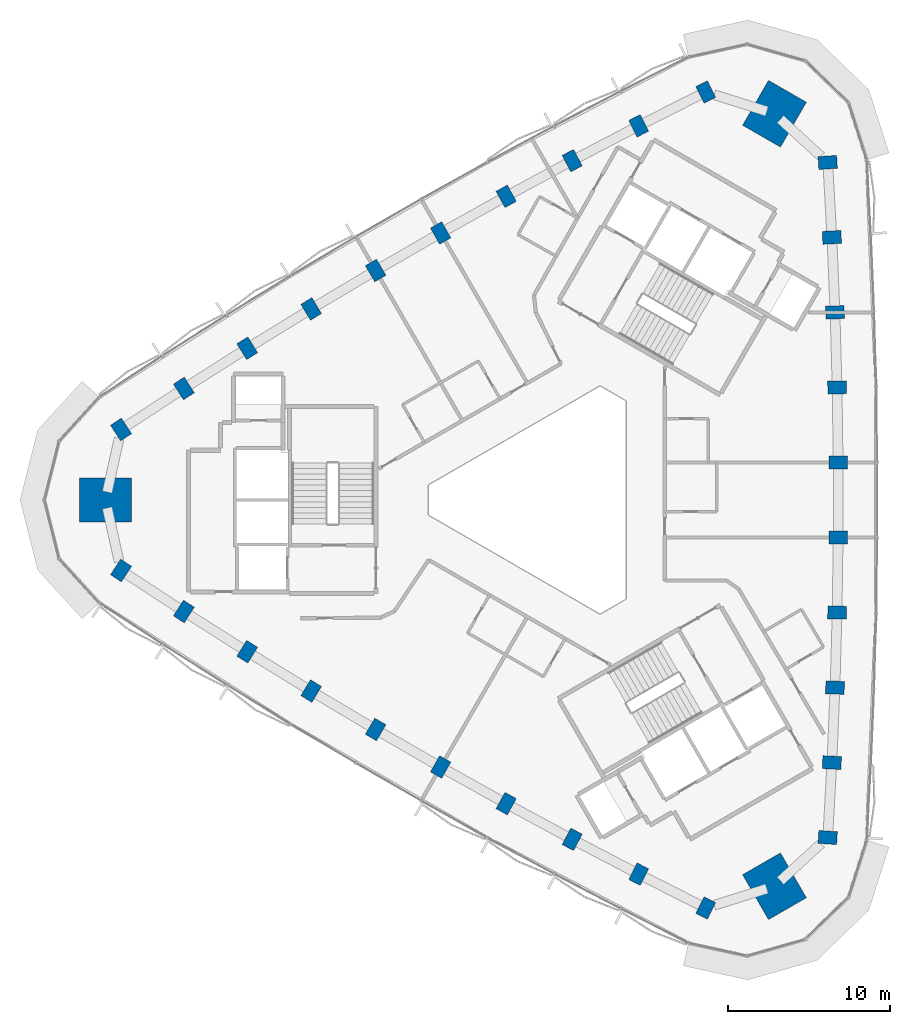
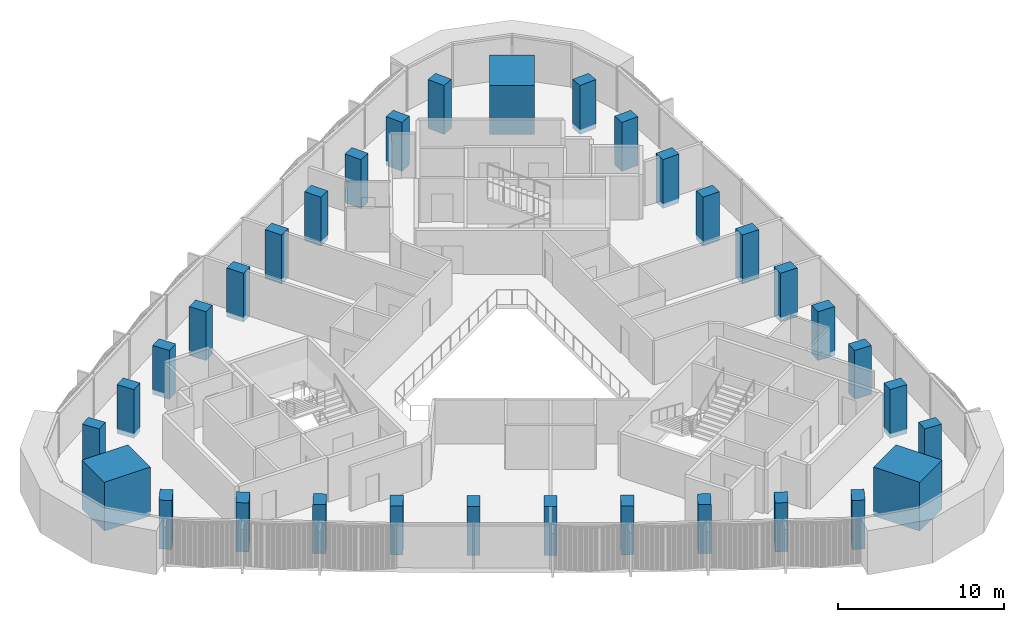
# One storey, part 1 of 13: 33 columns.
"""IFC4 building model written with IfcOpenShell, lengths in metres."""

from ifc_helpers import new_model, si_unit, direction, frame, origin, origin_2d, place, context, subcontext, project, spatial, rectangle, extrude, material, material_profile, profile_set, type_object, element, save


model = new_model("IFC4")

# Units and contexts
model_context = context("Model", 3, precision=1e-05, world=origin(), true_north=direction((0.0, 1.0)))
body_context = subcontext(model_context, "Body", "Model", "MODEL_VIEW")
ifc_project = project(units=[si_unit("LENGTHUNIT", "METRE"), si_unit("AREAUNIT", "SQUARE_METRE"), si_unit("VOLUMEUNIT", "CUBIC_METRE"), si_unit("PLANEANGLEUNIT", "RADIAN"), si_unit("MASSUNIT", "GRAM", prefix="KILO")], contexts=[model_context])

# Site, building, storey
site_placement = place(None, origin())
site = spatial("IfcSite", under=ifc_project, at=site_placement, CompositionType="ELEMENT")
building_placement = place(site_placement, origin())
building = spatial("IfcBuilding", under=site, at=building_placement, Name="Tamra Quay Hotel Tower", CompositionType="ELEMENT")
storey_placement = place(building_placement, frame((0.0, 0.0, 193.60009765625)))
storey = spatial("IfcBuildingStorey", under=building, at=storey_placement, Name="L48", CompositionType="ELEMENT", Elevation=193.60009765625)

# Columns
ifc_material = material(Name="Concrete M70", Category="concrete")
ifc_material_profile_1 = material_profile(ifc_material, rectangle(XDim=1.14990234375, YDim=0.800048828125, at=origin_2d()), Name="COLUMN RC 800x1150 Z4")
ifc_profile_set_1 = profile_set([ifc_material_profile_1], Name="Concrete M70")
column_type_1 = type_object("IfcColumnType", Name="COLUMN RC 800x1150 Z4", PredefinedType="COLUMN", material=ifc_profile_set_1)
for number, where, z_axis, x_axis, name in (
    (1, (17.069580078125, -20.856201171875, -0.35009765625), (0.0, 0.0, 1.0), (-0.998081035395, 0.061921295089, 0.0), "COL-C4E01-L48"),
    (2, (17.326416015625, -16.2255859375, -0.35009765625), (0.0, 0.0, 1.0), (-0.998830734492, 0.048344222345, 0.0), "COL-C4E02-L48"),
    (3, (17.519287109375, -11.592041015625, -0.35009765625), (0.0, 0.0, 1.0), (-0.999411600314, 0.034299462929, 0.0), "COL-C4E03-L48"),
    (4, (17.648193359375, -6.955810546875, -0.35009765625), (0.0, 0.0, 1.0), (-0.99977704996, 0.021115169271, 0.0), "COL-C4E04-L48"),
    (5, (17.71240234375, -2.318603515625, -0.35009765625), (0.0, 0.0, 1.0), (-0.999975214668, 0.007040600034, 0.0), "COL-C4E05-L48"),
    (6, (17.71240234375, 2.318603515625, -0.35009765625), (0.0, 0.0, 1.0), (0.999975214668, 0.007040600034, 0.0), "COL-C4E06-L48"),
    (7, (17.648193359375, 6.955810546875, -0.35009765625), (0.0, 0.0, 1.0), (0.99977704996, 0.021115169271, 0.0), "COL-C4E07-L48"),
    (8, (17.519287109375, 11.592041015625, -0.35009765625), (0.0, 0.0, 1.0), (0.999411600314, 0.034299462929, 0.0), "COL-C4E08-L48"),
    (9, (17.326416015625, 16.2255859375, -0.35009765625), (0.0, 0.0, 1.0), (0.998830734492, 0.048344222345, 0.0), "COL-C4E09-L48"),
    (10, (17.069580078125, 20.856201171875, -0.35009765625), (0.0, 0.0, 1.0), (0.998081035395, 0.061921295089, 0.0), "COL-C4E10-L48"),
    (11, (9.527099609375, 25.210693359375, -0.35009765625), (0.0, 0.0, 1.0), (-0.445415103115, 0.895324179232, 0.0), "COL-C4NW01-L48"),
    (12, (5.388427734375, 23.117919921875, -0.35009765625), (0.0, 0.0, 1.0), (-0.457548042569, 0.889184901323, 0.0), "COL-C4NW02-L48"),
    (13, (1.279296875, 20.96826171875, -0.35009765625), (0.0, 0.0, 1.0), (-0.470001593924, 0.882665566174, 0.0), "COL-C4NW03-L48"),
    (14, (-2.80029296875, 18.76171875, -0.35009765625), (0.0, 0.0, 1.0), (-0.481602251986, 0.876389908021, 0.0), "COL-C4NW04-L48"),
    (15, (-6.84814453125, 16.498779296875, -0.35009765625), (0.0, 0.0, 1.0), (-0.493890268847, 0.869524239075, 0.0), "COL-C4NW05-L48"),
    (16, (-10.8642578125, 14.18017578125, -0.35009765625), (0.0, 0.0, 1.0), (-0.506084945822, 0.862483639041, 0.0), "COL-C4NW06-L48"),
    (17, (-14.847900390625, 11.805908203125, -0.35009765625), (0.0, 0.0, 1.0), (-0.518174797974, 0.855274738751, 0.0), "COL-C4NW07-L48"),
    (18, (-18.798583984375, 9.376220703125, -0.35009765625), (0.0, 0.0, 1.0), (-0.52941000639, 0.848366103245, 0.0), "COL-C4NW08-L48"),
    (19, (-22.71484375, 6.892333984375, -0.35009765625), (0.0, 0.0, 1.0), (-0.541282691923, 0.840840678978, 0.0), "COL-C4NW09-L48"),
    (20, (-26.5966796875, 4.3544921875, -0.35009765625), (0.0, 0.0, 1.0), (-0.55266593228, 0.833402884143, 0.0), "COL-C4NW10-L48"),
    (21, (-26.5966796875, -4.3544921875, -0.35009765625), (0.0, 0.0, 1.0), (0.55266593228, 0.833402884143, 0.0), "COL-C4SW01-L48"),
    (22, (-22.71484375, -6.892333984375, -0.35009765625), (0.0, 0.0, 1.0), (0.541282691923, 0.840840678978, 0.0), "COL-C4SW02-L48"),
    (23, (-18.798583984375, -9.376220703125, -0.35009765625), (0.0, 0.0, 1.0), (0.52941000639, 0.848366103245, 0.0), "COL-C4SW03-L48"),
    (24, (-14.847900390625, -11.805908203125, -0.35009765625), (0.0, 0.0, 1.0), (0.518174797974, 0.855274738751, 0.0), "COL-C4SW04-L48"),
    (25, (-10.8642578125, -14.18017578125, -0.35009765625), (0.0, 0.0, 1.0), (0.506084945822, 0.862483639041, 0.0), "COL-C4SW05-L48"),
    (26, (-6.84814453125, -16.498779296875, -0.35009765625), (0.0, 0.0, 1.0), (0.493890268847, 0.869524239075, 0.0), "COL-C4SW06-L48"),
    (27, (-2.80029296875, -18.76171875, -0.35009765625), (0.0, 0.0, 1.0), (0.481602251986, 0.876389908021, 0.0), "COL-C4SW07-L48"),
    (28, (1.279296875, -20.96826171875, -0.35009765625), (0.0, 0.0, 1.0), (0.470001593924, 0.882665566174, 0.0), "COL-C4SW08-L48"),
    (29, (5.388427734375, -23.117919921875, -0.35009765625), (0.0, 0.0, 1.0), (0.457548042569, 0.889184901323, 0.0), "COL-C4SW09-L48"),
    (30, (9.527099609375, -25.210693359375, -0.35009765625), (0.0, 0.0, 1.0), (0.445415103115, 0.895324179232, 0.0), "COL-C4SW10-L48"),
):
    element("IfcColumn", number, at=place(storey_placement, frame(where, z_axis=z_axis, x_axis=x_axis)), inside=storey, type_object=column_type_1, Name=name, PredefinedType="COLUMN", context=body_context, shape_type="SweptSolid", body=[
        extrude(rectangle(XDim=1.14990234375, YDim=0.800048828125, at=origin_2d()), origin(), (0.0, 0.0, 1.0), 3.60009765625),
    ])
ifc_material_profile_2 = material_profile(ifc_material, rectangle(XDim=3.199951171875, YDim=2.699951171875, at=origin_2d()), Name="MEGA COLUMN RC 2700x3200 Z4")
ifc_profile_set_2 = profile_set([ifc_material_profile_2], Name="Concrete M70")
column_type_2 = type_object("IfcColumnType", Name="MEGA COLUMN RC 2700x3200 Z4", PredefinedType="COLUMN", material=ifc_profile_set_2)
for number, where, z_axis, x_axis, name in (
    (31, (13.779541015625, 23.86669921875, -0.35009765625), (0.0, 0.0, 1.0), (0.5, 0.866025403784, 0.0), "COL-M4NE-L48"),
    (32, (-27.55908203125, 0.0, -0.35009765625), (0.0, 0.0, 1.0), (1.0, 0.0, 0.0), "COL-M4W-L48"),
    (33, (13.779541015625, -23.86669921875, -0.35009765625), (0.0, 0.0, 1.0), (-0.5, 0.866025403784, 0.0), "COL-M4SE-L48"),
):
    element("IfcColumn", number, at=place(storey_placement, frame(where, z_axis=z_axis, x_axis=x_axis)), inside=storey, type_object=column_type_2, Name=name, PredefinedType="COLUMN", context=body_context, shape_type="SweptSolid", body=[
        extrude(rectangle(XDim=3.199951171875, YDim=2.699951171875, at=origin_2d()), origin(), (0.0, 0.0, 1.0), 3.60009765625),
    ])

save(model, "model.ifc")
